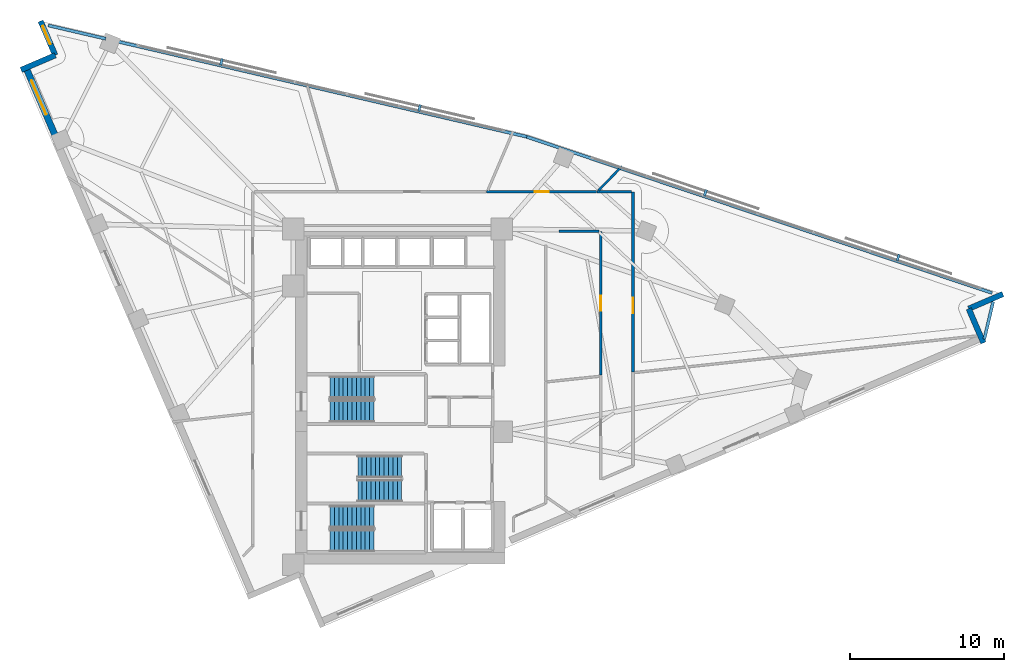
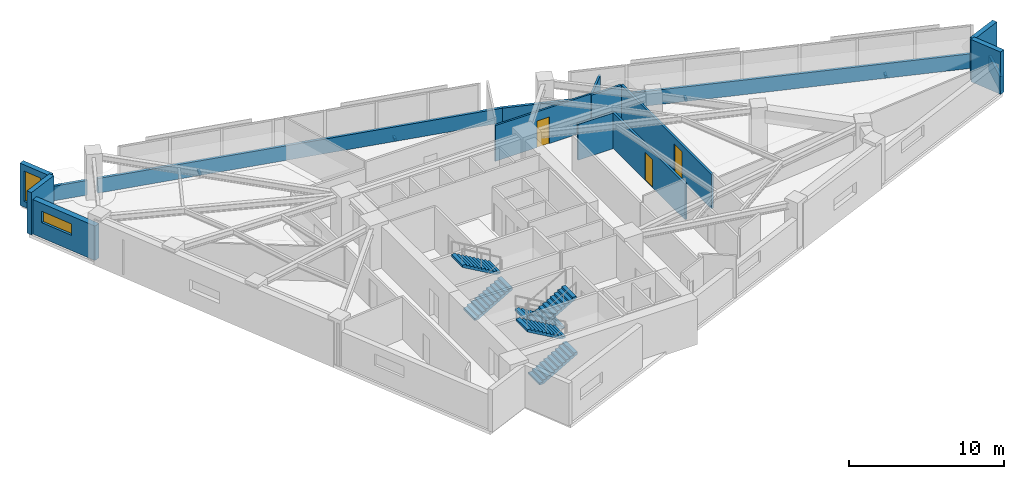
# One storey, part 11 of 13: 15 walls, 6 stair flights, 4 discrete accessories, 3 doors, 2 windows, 5 openings, 3 elements without a shape of their own.
"""IFC4 building model written with IfcOpenShell, lengths in metres."""

from ifc_helpers import new_model, si_unit, direction, frame, frame_2d, origin, origin_2d, place, context, subcontext, project, spatial, polyline, rectangle, outline, extrude, material, layer, layer_set, type_object, element, fill, aggregate, save


model = new_model("IFC4")

# Units and contexts
model_context = context("Model", 3, precision=1e-05, world=origin(), true_north=direction((0.0, 1.0)))
body_context = subcontext(model_context, "Body", "Model", "MODEL_VIEW")
ifc_project = project(units=[si_unit("LENGTHUNIT", "METRE"), si_unit("AREAUNIT", "SQUARE_METRE"), si_unit("VOLUMEUNIT", "CUBIC_METRE"), si_unit("PLANEANGLEUNIT", "RADIAN"), si_unit("MASSUNIT", "GRAM", prefix="KILO")], contexts=[model_context])

# Site, building, storey
site_placement = place(None, origin())
site = spatial("IfcSite", under=ifc_project, at=site_placement, CompositionType="ELEMENT")
building_placement = place(site_placement, origin())
building = spatial("IfcBuilding", under=site, at=building_placement, Name="Narakoshi Arena Tower", CompositionType="ELEMENT")
storey_placement = place(building_placement, frame((0.0, 0.0, 171.89990234375)))
storey = spatial("IfcBuildingStorey", under=building, at=storey_placement, Name="L46", CompositionType="ELEMENT", Elevation=171.89990234375)

# Wall, opening, door
ifc_material_1 = material(Name="Gypsum plasterboard fire-rated partition")
ifc_layer_1 = layer(ifc_material_1, 0.1650390625)
ifc_layer_set_1 = layer_set([ifc_layer_1], Name="Gypsum plasterboard fire-rated partition")
wall_type_1 = type_object("IfcWallType", Name="WL-CORR-165", PredefinedType="PARTITIONING", material=ifc_layer_set_1)
wall_1_placement = place(storey_placement, frame((94.061279296875, 47.2294921875, 0.0), z_axis=(0.0, 0.0, 1.0), x_axis=(0.0, 1.0, 0.0)))
wall_1 = element("IfcWall", 1, at=wall_1_placement, inside=storey, type_object=wall_type_1, Name="L46 Corridor Partition 04-1", PredefinedType="PARTITIONING", context=body_context, shape_type="SweptSolid", body=[
    extrude(rectangle(XDim=11.679443359375, YDim=0.1650390625, at=frame_2d((5.83984375, 0.0))), origin(), (0.0, 0.0, 1.0), 2.72509765625),
])
opening_1_placement = place(wall_1_placement, frame((3.7978515625, 0.0, 0.0)))
opening_1 = element("IfcOpeningElement", 2, at=opening_1_placement, cuts=wall_1, Name="Opening D-06", PredefinedType="OPENING", context=body_context, shape_type="SweptSolid", body=[
    extrude(rectangle(XDim=1.0, YDim=2.199951171875, at=frame_2d((0.5, 1.10009765625))), frame((0.0, 0.092529296875, 0.0), z_axis=(0.0, -1.0, 0.0), x_axis=(1.0, 0.0, 0.0)), (0.0, 0.0, 1.0), 0.18505859375),
])
ifc_material_2 = material(Name="Stained oak solid-core timber", Category="wood")
door_type_1 = type_object("IfcDoorType", Name="DR-OFF-1000", OperationType="NOTDEFINED", PredefinedType="DOOR", material=ifc_material_2)
door_1_placement = place(opening_1_placement, frame((1.0, 0.0, 0.0), z_axis=(0.0, 0.0, 1.0), x_axis=(-1.0, 0.0, 0.0)))
door_1 = element("IfcDoor", 3, at=door_1_placement, inside=storey, type_object=door_type_1, Name="DR-L46-017", OperationType="SINGLE_SWING_LEFT", OverallHeight=2.199951171875, OverallWidth=1.0, PredefinedType="DOOR", context=body_context, shape_type="SweptSolid", body=[
    extrude(rectangle(XDim=1.0, YDim=2.199951171875, at=frame_2d((0.5, 1.10009765625))), frame((0.0, 0.02490234375, 0.0), z_axis=(0.0, -1.0, 0.0), x_axis=(1.0, 0.0, 0.0)), (0.0, 0.0, 1.0), 0.050048828125),
])
fill(opening_1, door_1)

# Wall
wall_2_placement = place(storey_placement, frame((93.966796875, 58.908935546875, 0.0), z_axis=(0.0, 0.0, 1.0), x_axis=(-1.0, 0.0, 0.0)))
element("IfcWall", 4, at=wall_2_placement, inside=storey, type_object=wall_type_1, Name="L46 Corridor Partition 04-2", PredefinedType="PARTITIONING", context=body_context, shape_type="SweptSolid", body=[
    extrude(rectangle(XDim=2.230224609375, YDim=0.1650390625, at=frame_2d((1.115234375, 0.0))), origin(), (0.0, 0.0, 1.0), 2.72509765625),
])

# Wall, opening, door
wall_3_placement = place(storey_placement, frame((91.961181640625, 56.35009765625, 0.0), z_axis=(0.0, 0.0, 1.0), x_axis=(0.0, -1.0, 0.0)))
wall_3 = element("IfcWall", 5, at=wall_3_placement, inside=storey, type_object=wall_type_1, Name="L46 Corridor Partition 05-1", PredefinedType="PARTITIONING", context=body_context, shape_type="SweptSolid", body=[
    extrude(rectangle(XDim=9.343017578125, YDim=0.1650390625, at=frame_2d((4.67138671875, 0.0))), origin(), (0.0, 0.0, 1.0), 2.8251953125),
])
opening_2_placement = place(wall_3_placement, frame((4.17138671875, 0.0, 0.0)))
opening_2 = element("IfcOpeningElement", 6, at=opening_2_placement, cuts=wall_3, Name="Opening D-06", PredefinedType="OPENING", context=body_context, shape_type="SweptSolid", body=[
    extrude(rectangle(XDim=1.0, YDim=2.199951171875, at=frame_2d((0.5, 1.10009765625))), frame((0.0, 0.092529296875, 0.0), z_axis=(0.0, -1.0, 0.0), x_axis=(1.0, 0.0, 0.0)), (0.0, 0.0, 1.0), 0.18505859375),
])
door_2_placement = place(opening_2_placement, frame((1.0, 0.0, 0.0), z_axis=(0.0, 0.0, 1.0), x_axis=(-1.0, 0.0, 0.0)))
door_2 = element("IfcDoor", 7, at=door_2_placement, inside=storey, type_object=door_type_1, Name="DR-L46-018", OperationType="SINGLE_SWING_RIGHT", OverallHeight=2.199951171875, OverallWidth=1.0, PredefinedType="DOOR", context=body_context, shape_type="SweptSolid", body=[
    extrude(rectangle(XDim=1.0, YDim=2.199951171875, at=frame_2d((0.5, 1.10009765625))), frame((0.0, 0.02490234375, 0.0), z_axis=(0.0, -1.0, 0.0), x_axis=(1.0, 0.0, 0.0)), (0.0, 0.0, 1.0), 0.050048828125),
])
fill(opening_2, door_2)

# Walls
wall_4_placement = place(storey_placement, frame((89.25244140625, 56.35009765625, 0.0), z_axis=(0.0, 0.0, 1.0), x_axis=(1.0, 0.0, 0.0)))
element("IfcWall", 8, at=wall_4_placement, inside=storey, type_object=wall_type_1, Name="L46 Corridor Partition 05-3", PredefinedType="PARTITIONING", context=body_context, shape_type="SweptSolid", body=[
    extrude(rectangle(XDim=2.6142578125, YDim=0.1650390625, at=frame_2d((1.30712890625, 0.0))), origin(), (0.0, 0.0, 1.0), 2.8251953125),
])
ifc_material_3 = material(Name="Precast concrete C45/55", Category="concrete")
ifc_layer_2 = layer(ifc_material_3, 0.25)
ifc_layer_set_2 = layer_set([ifc_layer_2], Name="Precast concrete C45/55")
wall_type_2 = type_object("IfcWallType", Name="WL-PARA-250", PredefinedType="PARAPET", material=ifc_layer_set_2)
wall_5_placement = place(storey_placement, frame((116.859130859375, 49.34912109375, 0.0), z_axis=(0.0, 0.0, 1.0), x_axis=(0.229175279812, 0.973385171, 0.0)))
element("IfcWall", 9, at=wall_5_placement, inside=storey, type_object=wall_type_2, Name="L46 Architectural Setback Ledge Parapet", PredefinedType="PARAPET", context=body_context, shape_type="SweptSolid", body=[
    extrude(rectangle(XDim=2.50244140625, YDim=0.199951171875, at=frame_2d((1.251220703125, 0.0))), origin(), (0.0, 0.0, 1.0), 1.150146484375),
])
wall_6_placement = place(storey_placement, frame((117.362548828125, 52.343505859375, 0.0), z_axis=(0.0, 0.0, 1.0), x_axis=(-0.94800468727, 0.31825636351, 0.0)))
element("IfcWall", 10, at=wall_6_placement, inside=storey, type_object=wall_type_2, Name="L46 Hypotenuse Sill Upstand Parapet 1-01", PredefinedType="PARAPET", context=body_context, shape_type="SweptSolid", body=[
    extrude(rectangle(XDim=31.869140625, YDim=0.199951171875, at=frame_2d((15.9345703125, 0.0))), origin(), (0.0, 0.0, 1.0), 1.150146484375),
])
wall_7_placement = place(storey_placement, frame((87.1650390625, 62.48193359375, 0.0), z_axis=(0.0, 0.0, 1.0), x_axis=(-0.973958631559, 0.226725790352, 0.0)))
element("IfcWall", 11, at=wall_7_placement, inside=storey, type_object=wall_type_2, Name="L46 Hypotenuse Sill Upstand Parapet 2-01", PredefinedType="PARAPET", context=body_context, shape_type="SweptSolid", body=[
    extrude(rectangle(XDim=27.375732421875, YDim=0.199951171875, at=frame_2d((13.68798828125, 0.0))), origin(), (0.0, 0.0, 1.0), 1.150146484375),
])
wall_8_placement = place(storey_placement, frame((59.8408203125, 68.842529296875, 0.0), z_axis=(0.0, 0.0, 1.0), x_axis=(-0.973951848941, 0.226754924851, 0.0)))
element("IfcWall", 12, at=wall_8_placement, inside=storey, type_object=wall_type_2, Name="L46 Hypotenuse Sill Upstand Parapet 2-02", PredefinedType="PARAPET", context=body_context, shape_type="SweptSolid", body=[
    extrude(rectangle(XDim=3.837158203125, YDim=0.199951171875, at=frame_2d((1.91845703125, 0.0))), origin(), (0.0, 0.0, 1.0), 1.150146484375),
])

# Wall, opening, window
ifc_layer_3 = layer(ifc_material_3, 0.419921875)
ifc_layer_set_3 = layer_set([ifc_layer_3], Name="Precast concrete C45/55")
wall_type_3 = type_object("IfcWallType", Name="WL-POD-420", PredefinedType="SOLIDWALL", material=ifc_layer_set_3)
wall_9_placement = place(storey_placement, frame((54.6708984375, 66.958984375, 0.0), z_axis=(0.0, 0.0, 1.0), x_axis=(0.394733507229, -0.918795656428, 0.0)))
wall_9 = element("IfcWall", 13, at=wall_9_placement, inside=storey, type_object=wall_type_3, Name="L46 Architectural Concrete Facade Wall LEGB-1", PredefinedType="SOLIDWALL", context=body_context, shape_type="SweptSolid", body=[
    extrude(rectangle(XDim=5.210205078125, YDim=0.419921875, at=frame_2d((2.60498046875, 0.0))), origin(), (0.0, 0.0, 1.0), 2.72509765625),
])
opening_3_placement = place(wall_9_placement, frame((0.89990234375, 0.0, 1.199951171875)))
opening_3 = element("IfcOpeningElement", 14, at=opening_3_placement, cuts=wall_9, Name="Opening WN-01", PredefinedType="OPENING", context=body_context, shape_type="SweptSolid", body=[
    extrude(rectangle(XDim=2.39990234375, YDim=0.89990234375, at=frame_2d((1.199951171875, 0.449951171875))), frame((0.0, 0.219970703125, 0.0), z_axis=(0.0, -1.0, 0.0), x_axis=(1.0, 0.0, 0.0)), (0.0, 0.0, 1.0), 0.43994140625),
])
ifc_material_4 = material(Name="Bronze-tinted low-E laminated glass", Category="glass")
window_type_1 = type_object("IfcWindowType", Name="WIN-SLT-24x09", PartitioningType="SINGLE_PANEL", PredefinedType="WINDOW", material=ifc_material_4)
window_1_placement = place(opening_3_placement, origin())
window_1 = element("IfcWindow", 15, at=window_1_placement, inside=storey, type_object=window_type_1, Name="L46 LEGB1 Horizontal Slot Window 1", OverallHeight=0.89990234375, OverallWidth=2.39990234375, PartitioningType="SINGLE_PANEL", PredefinedType="WINDOW", context=body_context, shape_type="SweptSolid", body=[
    extrude(rectangle(XDim=2.39990234375, YDim=0.89990234375, at=frame_2d((1.199951171875, 0.449951171875))), frame((0.0, 0.030029296875, 0.0), z_axis=(0.0, -1.0, 0.0), x_axis=(1.0, 0.0, 0.0)), (0.0, 0.0, 1.0), 0.06005859375),
])
fill(opening_3, window_1)

# Walls
wall_10_placement = place(storey_placement, frame((116.8017578125, 49.105712890625, 0.0), z_axis=(0.0, 0.0, 1.0), x_axis=(-0.394712707157, 0.918804592288, 0.0)))
element("IfcWall", 16, at=wall_10_placement, inside=storey, type_object=wall_type_3, Name="L46 Re-Entrant Corner Notch Wall NTE-1", PredefinedType="SOLIDWALL", context=body_context, shape_type="SweptSolid", body=[
    extrude(rectangle(XDim=2.41357421875, YDim=0.360107421875, at=frame_2d((1.206787109375, 0.0))), origin(), (0.0, 0.0, 1.0), 3.340087890625),
])
wall_11_placement = place(storey_placement, frame((115.84912109375, 51.3232421875, 0.0), z_axis=(0.0, 0.0, 1.0), x_axis=(0.918788830096, 0.394749396062, 0.0)))
element("IfcWall", 17, at=wall_11_placement, inside=storey, type_object=wall_type_3, Name="L46 Re-Entrant Corner Notch Wall NTE-2", PredefinedType="SOLIDWALL", context=body_context, shape_type="SweptSolid", body=[
    extrude(rectangle(XDim=2.413330078125, YDim=0.360107421875, at=frame_2d((1.20654296875, 0.0))), origin(), (0.0, 0.0, 1.0), 3.340087890625),
])

# Wall, opening, window
wall_12_placement = place(storey_placement, frame((55.614013671875, 69.99072265625, 0.0), z_axis=(0.0, 0.0, 1.0), x_axis=(0.394663989422, -0.918825519592, 0.0)))
wall_12 = element("IfcWall", 18, at=wall_12_placement, inside=storey, type_object=wall_type_3, Name="L46 Re-Entrant Corner Notch Wall NTN-1", PredefinedType="SOLIDWALL", context=body_context, shape_type="SweptSolid", body=[
    extrude(rectangle(XDim=2.4130859375, YDim=0.360107421875, at=frame_2d((1.20654296875, 0.0))), origin(), (0.0, 0.0, 1.0), 3.340087890625),
])
opening_4_placement = place(wall_12_placement, frame((0.340087890625, 0.0, 0.449951171875)))
opening_4 = element("IfcOpeningElement", 19, at=opening_4_placement, cuts=wall_12, Name="Opening WN-06", PredefinedType="OPENING", context=body_context, shape_type="SweptSolid", body=[
    extrude(rectangle(XDim=1.300048828125, YDim=2.39990234375, at=frame_2d((0.64990234375, 1.199951171875))), frame((0.0, 0.18994140625, 0.0), z_axis=(0.0, -1.0, 0.0), x_axis=(1.0, 0.0, 0.0)), (0.0, 0.0, 1.0), 0.380126953125),
])
window_type_2 = type_object("IfcWindowType", Name="WIN-NTC-16x24", PartitioningType="SINGLE_PANEL", PredefinedType="WINDOW", material=ifc_material_4)
window_2_placement = place(opening_4_placement, origin())
window_2 = element("IfcWindow", 20, at=window_2_placement, inside=storey, type_object=window_type_2, Name="L46 Corner Notch Window NTN", OverallHeight=2.39990234375, OverallWidth=1.300048828125, PartitioningType="SINGLE_PANEL", PredefinedType="WINDOW", context=body_context, shape_type="SweptSolid", body=[
    extrude(rectangle(XDim=1.300048828125, YDim=2.39990234375, at=frame_2d((0.64990234375, 1.199951171875))), frame((0.0, 0.030029296875, 0.0), z_axis=(0.0, -1.0, 0.0), x_axis=(1.0, 0.0, 0.0)), (0.0, 0.0, 1.0), 0.06005859375),
])
fill(opening_4, window_2)

# Walls
wall_13_placement = place(storey_placement, frame((56.56640625, 67.7734375, 0.0), z_axis=(0.0, 0.0, 1.0), x_axis=(-0.918788830096, -0.394749396062, 0.0)))
element("IfcWall", 21, at=wall_13_placement, inside=storey, type_object=wall_type_3, Name="L46 Re-Entrant Corner Notch Wall NTN-2", PredefinedType="SOLIDWALL", context=body_context, shape_type="SweptSolid", body=[
    extrude(rectangle(XDim=2.413330078125, YDim=0.360107421875, at=frame_2d((1.20654296875, 0.0))), origin(), (0.0, 0.0, 1.0), 3.340087890625),
])
ifc_material_5 = material(Name="Moisture-resistant cement-board partition")
ifc_layer_4 = layer(ifc_material_5, 0.14501953125)
ifc_layer_set_4 = layer_set([ifc_layer_4], Name="Moisture-resistant cement-board partition")
wall_type_4 = type_object("IfcWallType", Name="WL-WET-145", PredefinedType="PARTITIONING", material=ifc_layer_set_4)
wall_14_placement = place(storey_placement, frame((91.827880859375, 59.00341796875, 0.0), z_axis=(0.0, 0.0, 1.0), x_axis=(0.695166451438, 0.71884880524, 0.0)))
element("IfcWall", 22, at=wall_14_placement, inside=storey, type_object=wall_type_4, Name="L46 Inter-Room Partition 04-06", PredefinedType="PARTITIONING", context=body_context, shape_type="SweptSolid", body=[
    extrude(rectangle(XDim=2.185546875, YDim=0.14501953125, at=frame_2d((1.0927734375, 0.0))), origin(), (0.0, 0.0, 1.0), 2.72509765625),
])

# Wall, opening, door
wall_15_placement = place(storey_placement, frame((91.703125, 58.908935546875, 0.0), z_axis=(0.0, 0.0, 1.0), x_axis=(-1.0, 0.0, 0.0)))
wall_15 = element("IfcWall", 23, at=wall_15_placement, inside=storey, type_object=wall_type_4, Name="L46 Corridor Partition 06-1", PredefinedType="PARTITIONING", context=body_context, shape_type="SweptSolid", body=[
    extrude(rectangle(XDim=7.14453125, YDim=0.14501953125, at=frame_2d((3.572265625, 0.0))), origin(), (0.0, 0.0, 1.0), 2.8251953125),
])
opening_5_placement = place(wall_15_placement, frame((3.122314453125, 0.0, 0.0)))
opening_5 = element("IfcOpeningElement", 24, at=opening_5_placement, cuts=wall_15, Name="Opening D-08", PredefinedType="OPENING", context=body_context, shape_type="SweptSolid", body=[
    extrude(rectangle(XDim=0.89990234375, YDim=2.10009765625, at=frame_2d((0.449951171875, 1.050048828125))), frame((0.0, 0.08251953125, 0.0), z_axis=(0.0, -1.0, 0.0), x_axis=(1.0, 0.0, 0.0)), (0.0, 0.0, 1.0), 0.1650390625),
])
ifc_material_6 = material(Name="Moisture-resistant laminate timber", Category="wood")
door_type_2 = type_object("IfcDoorType", Name="DR-WC-900", OperationType="NOTDEFINED", PredefinedType="DOOR", material=ifc_material_6)
door_3_placement = place(opening_5_placement, frame((0.89990234375, 0.0, 0.0), z_axis=(0.0, 0.0, 1.0), x_axis=(-1.0, 0.0, 0.0)))
door_3 = element("IfcDoor", 25, at=door_3_placement, inside=storey, type_object=door_type_2, Name="DR-L46-019", OperationType="SINGLE_SWING_LEFT", OverallHeight=2.10009765625, OverallWidth=0.89990234375, PredefinedType="DOOR", context=body_context, shape_type="SweptSolid", body=[
    extrude(rectangle(XDim=0.89990234375, YDim=2.10009765625, at=frame_2d((0.449951171875, 1.050048828125))), frame((0.0, 0.02490234375, 0.0), z_axis=(0.0, -1.0, 0.0), x_axis=(1.0, 0.0, 0.0)), (0.0, 0.0, 1.0), 0.050048828125),
])
fill(opening_5, door_3)

# Stair, stair flights
ifc_material_7 = material(Name="Concrete C45/55", Category="concrete")
stair_type = type_object("IfcStairType", Name="STR-CORE-360", PredefinedType="TWO_STRAIGHT_RUN_STAIR", material=ifc_material_7)
stair_1_placement = place(storey_placement, origin())
stair_1 = element("IfcStair", 26, at=stair_1_placement, inside=storey, type_object=stair_type, Name="L46 Core Escape Stair ST1", PredefinedType="TWO_STRAIGHT_RUN_STAIR")
stair_flight_type = type_object("IfcStairFlightType", Name="FLT-145-160", PredefinedType="STRAIGHT", material=ifc_material_3)
stair_flight_1_placement = place(storey_placement, frame((74.39990234375, 36.27490234375, 0.0), z_axis=(0.0, 0.0, 1.0), x_axis=(1.0, 0.0, 0.0)))
stair_flight_1 = element("IfcStairFlight", 27, at=stair_flight_1_placement, type_object=stair_flight_type, Name="ST1 flight 1", NumberOfRisers=11, NumberOfTreads=10, PredefinedType="STRAIGHT", RiserHeight=0.163636364, TreadLength=0.285, context=body_context, shape_type="SweptSolid", body=[
    extrude(outline(polyline([(0.0, 0.0), (0.0, 0.16357421875), (0.284912109375, 0.16357421875), (0.284912109375, 0.327392578125), (0.570068359375, 0.327392578125), (0.570068359375, 0.490966796875), (0.85498046875, 0.490966796875), (0.85498046875, 0.654541015625), (1.139892578125, 0.654541015625), (1.139892578125, 0.818115234375), (1.425048828125, 0.818115234375), (1.425048828125, 0.98193359375), (1.7099609375, 0.98193359375), (1.7099609375, 1.1455078125), (1.9951171875, 1.1455078125), (1.9951171875, 1.30908203125), (2.280029296875, 1.30908203125), (2.280029296875, 1.47265625), (2.56494140625, 1.47265625), (2.56494140625, 1.636474609375), (2.85009765625, 1.636474609375), (2.85009765625, 1.800048828125), (2.85009765625, 1.463623046875), (0.301025390625, 0.0), (0.0, 0.0)])), frame((0.0, 0.72509765625, 0.0), z_axis=(0.0, -1.0, 0.0), x_axis=(1.0, 0.0, 0.0)), (0.0, 0.0, 1.0), 1.449951171875),
])
stair_flight_2_placement = place(storey_placement, frame((77.25, 37.824951171875, 1.800048828125), z_axis=(0.0, 0.0, 1.0), x_axis=(-1.0, 0.0, 0.0)))
stair_flight_2 = element("IfcStairFlight", 28, at=stair_flight_2_placement, type_object=stair_flight_type, Name="ST1 flight 2", NumberOfRisers=11, NumberOfTreads=10, PredefinedType="STRAIGHT", RiserHeight=0.163636364, TreadLength=0.285, context=body_context, shape_type="SweptSolid", body=[
    extrude(outline(polyline([(0.0, 0.0), (0.0, 0.16357421875), (0.284912109375, 0.16357421875), (0.284912109375, 0.327392578125), (0.570068359375, 0.327392578125), (0.570068359375, 0.490966796875), (0.85498046875, 0.490966796875), (0.85498046875, 0.654541015625), (1.139892578125, 0.654541015625), (1.139892578125, 0.818115234375), (1.425048828125, 0.818115234375), (1.425048828125, 0.98193359375), (1.7099609375, 0.98193359375), (1.7099609375, 1.1455078125), (1.9951171875, 1.1455078125), (1.9951171875, 1.30908203125), (2.280029296875, 1.30908203125), (2.280029296875, 1.47265625), (2.56494140625, 1.47265625), (2.56494140625, 1.636474609375), (2.85009765625, 1.636474609375), (2.85009765625, 1.800048828125), (2.85009765625, 1.463623046875), (0.301025390625, 0.0), (0.0, 0.0)])), frame((0.0, 0.72509765625, 0.0), z_axis=(0.0, -1.0, 0.0), x_axis=(1.0, 0.0, 0.0)), (0.0, 0.0, 1.0), 1.449951171875),
])
aggregate(stair_1, [stair_flight_1, stair_flight_2])

stair_2_placement = place(storey_placement, origin())
stair_2 = element("IfcStair", 29, at=stair_2_placement, inside=storey, type_object=stair_type, Name="L46 Core Escape Stair ST2", PredefinedType="TWO_STRAIGHT_RUN_STAIR")
stair_flight_3_placement = place(storey_placement, frame((79.050048828125, 41.074951171875, 0.0), z_axis=(0.0, 0.0, 1.0), x_axis=(-1.0, 0.0, 0.0)))
stair_flight_3 = element("IfcStairFlight", 30, at=stair_flight_3_placement, type_object=stair_flight_type, Name="ST2 flight 1", NumberOfRisers=11, NumberOfTreads=10, PredefinedType="STRAIGHT", RiserHeight=0.163636364, TreadLength=0.285, context=body_context, shape_type="SweptSolid", body=[
    extrude(outline(polyline([(0.0, 0.0), (0.0, 0.16357421875), (0.284912109375, 0.16357421875), (0.284912109375, 0.327392578125), (0.570068359375, 0.327392578125), (0.570068359375, 0.490966796875), (0.85498046875, 0.490966796875), (0.85498046875, 0.654541015625), (1.139892578125, 0.654541015625), (1.139892578125, 0.818115234375), (1.425048828125, 0.818115234375), (1.425048828125, 0.98193359375), (1.7099609375, 0.98193359375), (1.7099609375, 1.1455078125), (1.9951171875, 1.1455078125), (1.9951171875, 1.30908203125), (2.280029296875, 1.30908203125), (2.280029296875, 1.47265625), (2.56494140625, 1.47265625), (2.56494140625, 1.636474609375), (2.85009765625, 1.636474609375), (2.85009765625, 1.800048828125), (2.85009765625, 1.463623046875), (0.301025390625, 0.0), (0.0, 0.0)])), frame((0.0, 0.72509765625, 0.0), z_axis=(0.0, -1.0, 0.0), x_axis=(1.0, 0.0, 0.0)), (0.0, 0.0, 1.0), 1.449951171875),
])
stair_flight_4_placement = place(storey_placement, frame((76.199951171875, 39.52490234375, 1.800048828125), z_axis=(0.0, 0.0, 1.0), x_axis=(1.0, 0.0, 0.0)))
stair_flight_4 = element("IfcStairFlight", 31, at=stair_flight_4_placement, type_object=stair_flight_type, Name="ST2 flight 2", NumberOfRisers=11, NumberOfTreads=10, PredefinedType="STRAIGHT", RiserHeight=0.163636364, TreadLength=0.285, context=body_context, shape_type="SweptSolid", body=[
    extrude(outline(polyline([(0.0, 0.0), (0.0, 0.16357421875), (0.284912109375, 0.16357421875), (0.284912109375, 0.327392578125), (0.570068359375, 0.327392578125), (0.570068359375, 0.490966796875), (0.85498046875, 0.490966796875), (0.85498046875, 0.654541015625), (1.139892578125, 0.654541015625), (1.139892578125, 0.818115234375), (1.425048828125, 0.818115234375), (1.425048828125, 0.98193359375), (1.7099609375, 0.98193359375), (1.7099609375, 1.1455078125), (1.9951171875, 1.1455078125), (1.9951171875, 1.30908203125), (2.280029296875, 1.30908203125), (2.280029296875, 1.47265625), (2.56494140625, 1.47265625), (2.56494140625, 1.636474609375), (2.85009765625, 1.636474609375), (2.85009765625, 1.800048828125), (2.85009765625, 1.463623046875), (0.301025390625, 0.0), (0.0, 0.0)])), frame((0.0, 0.72509765625, 0.0), z_axis=(0.0, -1.0, 0.0), x_axis=(1.0, 0.0, 0.0)), (0.0, 0.0, 1.0), 1.449951171875),
])
aggregate(stair_2, [stair_flight_3, stair_flight_4])

stair_3_placement = place(storey_placement, origin())
stair_3 = element("IfcStair", 32, at=stair_3_placement, inside=storey, type_object=stair_type, Name="L46 Core Escape Stair ST3", PredefinedType="TWO_STRAIGHT_RUN_STAIR")
stair_flight_5_placement = place(storey_placement, frame((74.39990234375, 44.675048828125, 0.0), z_axis=(0.0, 0.0, 1.0), x_axis=(1.0, 0.0, 0.0)))
stair_flight_5 = element("IfcStairFlight", 33, at=stair_flight_5_placement, type_object=stair_flight_type, Name="ST3 flight 1", NumberOfRisers=11, NumberOfTreads=10, PredefinedType="STRAIGHT", RiserHeight=0.163636364, TreadLength=0.285, context=body_context, shape_type="SweptSolid", body=[
    extrude(outline(polyline([(0.0, 0.0), (0.0, 0.16357421875), (0.284912109375, 0.16357421875), (0.284912109375, 0.327392578125), (0.570068359375, 0.327392578125), (0.570068359375, 0.490966796875), (0.85498046875, 0.490966796875), (0.85498046875, 0.654541015625), (1.139892578125, 0.654541015625), (1.139892578125, 0.818115234375), (1.425048828125, 0.818115234375), (1.425048828125, 0.98193359375), (1.7099609375, 0.98193359375), (1.7099609375, 1.1455078125), (1.9951171875, 1.1455078125), (1.9951171875, 1.30908203125), (2.280029296875, 1.30908203125), (2.280029296875, 1.47265625), (2.56494140625, 1.47265625), (2.56494140625, 1.636474609375), (2.85009765625, 1.636474609375), (2.85009765625, 1.800048828125), (2.85009765625, 1.463623046875), (0.301025390625, 0.0), (0.0, 0.0)])), frame((0.0, 0.72509765625, 0.0), z_axis=(0.0, -1.0, 0.0), x_axis=(1.0, 0.0, 0.0)), (0.0, 0.0, 1.0), 1.449951171875),
])
stair_flight_6_placement = place(storey_placement, frame((77.25, 46.22509765625, 1.800048828125), z_axis=(0.0, 0.0, 1.0), x_axis=(-1.0, 0.0, 0.0)))
stair_flight_6 = element("IfcStairFlight", 34, at=stair_flight_6_placement, type_object=stair_flight_type, Name="ST3 flight 2", NumberOfRisers=11, NumberOfTreads=10, PredefinedType="STRAIGHT", RiserHeight=0.163636364, TreadLength=0.285, context=body_context, shape_type="SweptSolid", body=[
    extrude(outline(polyline([(0.0, 0.0), (0.0, 0.16357421875), (0.284912109375, 0.16357421875), (0.284912109375, 0.327392578125), (0.570068359375, 0.327392578125), (0.570068359375, 0.490966796875), (0.85498046875, 0.490966796875), (0.85498046875, 0.654541015625), (1.139892578125, 0.654541015625), (1.139892578125, 0.818115234375), (1.425048828125, 0.818115234375), (1.425048828125, 0.98193359375), (1.7099609375, 0.98193359375), (1.7099609375, 1.1455078125), (1.9951171875, 1.1455078125), (1.9951171875, 1.30908203125), (2.280029296875, 1.30908203125), (2.280029296875, 1.47265625), (2.56494140625, 1.47265625), (2.56494140625, 1.636474609375), (2.85009765625, 1.636474609375), (2.85009765625, 1.800048828125), (2.85009765625, 1.463623046875), (0.301025390625, 0.0), (0.0, 0.0)])), frame((0.0, 0.72509765625, 0.0), z_axis=(0.0, -1.0, 0.0), x_axis=(1.0, 0.0, 0.0)), (0.0, 0.0, 1.0), 1.449951171875),
])
aggregate(stair_3, [stair_flight_5, stair_flight_6])

# Discrete accessories
ifc_material_8 = material(Name="Structural steel S355J2", Category="steel")
discrete_accessory_type = type_object("IfcDiscreteAccessoryType", Name="ACC-BRK-SCR", PredefinedType="BRACKET", material=ifc_material_8)
for number, where, z_axis, x_axis, name in (
    (35, (111.266357421875, 54.64306640625, -0.080078125), (0.0, 0.0, 1.0), (-0.948001964735, 0.318264473134, 0.0), "L46 Solar Screen Support Bracket SHD-L46-SCR1-1"),
    (36, (98.752685546875, 58.84423828125, -0.080078125), (0.0, 0.0, 1.0), (-0.948001964735, 0.318264473134, 0.0), "L46 Solar Screen Support Bracket SHD-L46-SCR1-2"),
    (37, (80.206787109375, 64.34814453125, -0.080078125), (0.0, 0.0, 1.0), (-0.973960141659, 0.226719303234, 0.0), "L46 Solar Screen Support Bracket SHD-L46-SCR2-1"),
    (38, (67.3505859375, 67.3408203125, -0.080078125), (0.0, 0.0, 1.0), (-0.973960141659, 0.226719303234, 0.0), "L46 Solar Screen Support Bracket SHD-L46-SCR2-2"),
):
    element("IfcDiscreteAccessory", number, at=place(storey_placement, frame(where, z_axis=z_axis, x_axis=x_axis)), inside=storey, type_object=discrete_accessory_type, Name=name, PredefinedType="BRACKET", context=body_context, shape_type="SweptSolid", body=[
        extrude(rectangle(XDim=0.159912109375, YDim=0.43994140625, at=origin_2d()), origin(), (0.0, 0.0, 1.0), 0.199951171875),
    ])

save(model, "model.ifc")
